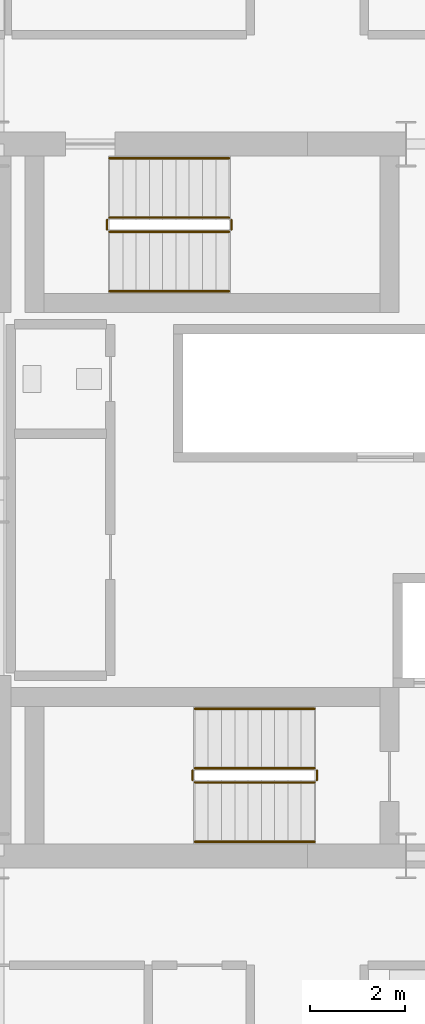
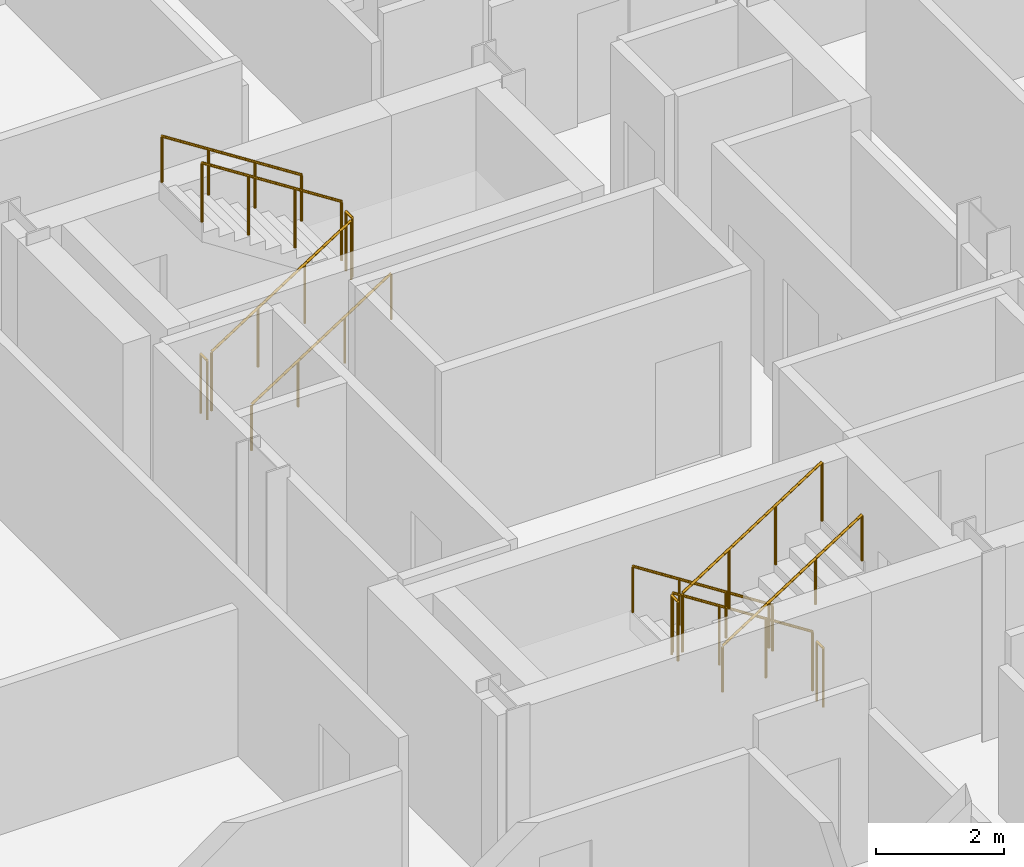
# One storey, part 19 of 20: 12 railings.
"""IFC4 building model written with IfcOpenShell, lengths in metres."""

import ifcopenshell
import ifcopenshell.guid

model = None  # the IFC model being written
_history = None  # IfcOwnerHistory: only IFC2X3 demands one
_inside = {}  # id of a spatial element -> (the spatial element, [elements in it])
_under = {}  # id of a project, library or spatial element -> (it, [spatial elements below it])
_declared = {}  # id of a project -> (the project, [libraries it declares])
_typed = {}  # id of a type object -> (the type object, [elements of that type])
_made_of = {}  # id of a material, layer set ... -> (it, [elements and type objects made of it])


def new_model(schema):
    """Start an empty IFC model of exactly this schema.

    Asked for "IFC4X3", IfcOpenShell would pick the latest addendum, in which some entities
    have other attributes; the version numbers below select the first issue.
    IFC2X3 requires an IfcOwnerHistory on every rooted entity: one is made here for all.
    """
    global model, _history
    if schema == "IFC4X3":
        model = ifcopenshell.file(schema_version=(4, 3, 0, 0))
    else:
        model = ifcopenshell.file(schema=schema)
    _inside.clear()
    _under.clear()
    _declared.clear()
    _typed.clear()
    _made_of.clear()
    _history = None
    if model.schema == "IFC2X3":
        org = make("IfcOrganization", Name="unknown")
        user = make(
            "IfcPersonAndOrganization",
            ThePerson=make("IfcPerson", FamilyName="unknown"),
            TheOrganization=org,
        )
        app = make(
            "IfcApplication",
            ApplicationDeveloper=org,
            Version="unknown",
            ApplicationFullName="unknown",
            ApplicationIdentifier="unknown",
        )
        _history = make(
            "IfcOwnerHistory",
            OwningUser=user,
            OwningApplication=app,
            ChangeAction="ADDED",
            CreationDate=0,
        )
    return model


def make(cls, **values):
    """One entity of the class cls with the attributes given. An attribute that is None is left unset."""
    return model.create_entity(
        cls, **{name: value for name, value in values.items() if value is not None}
    )


def rooted(cls, **values):
    """An entity with a GlobalId (a new one), such as an element, a storey or a relation."""
    return make(cls, GlobalId=ifcopenshell.guid.new(), OwnerHistory=_history, **values)


def si_unit(unit_type, name, prefix=None):
    """IfcSIUnit, for example si_unit("LENGTHUNIT", "METRE", prefix="MILLI")."""
    return make("IfcSIUnit", UnitType=unit_type, Prefix=prefix, Name=name)


def assignment(units):
    """IfcUnitAssignment: the units of a project."""
    return None if units is None else make("IfcUnitAssignment", Units=units)


def point(xyz):
    """IfcCartesianPoint."""
    return None if xyz is None else make("IfcCartesianPoint", Coordinates=xyz)


def direction(xyz):
    """IfcDirection."""
    return None if xyz is None else make("IfcDirection", DirectionRatios=xyz)


def frame(location, z_axis=None, x_axis=None):
    """IfcAxis2Placement3D, a coordinate frame: its origin and axes. An axis left out is left unset."""
    return make(
        "IfcAxis2Placement3D",
        Location=point(location),
        Axis=direction(z_axis),
        RefDirection=direction(x_axis),
    )


def frame_2d(location, x_axis=None):
    """IfcAxis2Placement2D, a coordinate frame in the plane: its origin and x axis."""
    return make(
        "IfcAxis2Placement2D", Location=point(location), RefDirection=direction(x_axis)
    )


def origin():
    """The frame at (0, 0, 0) with its axes left unset."""
    return frame((0.0, 0.0, 0.0))


def origin_2d():
    """The frame at (0, 0) in the plane with its x axis left unset."""
    return frame_2d((0.0, 0.0))


def place(relative_to, where):
    """IfcLocalPlacement: puts the frame where relative to a parent placement (None: the world)."""
    return make(
        "IfcLocalPlacement", PlacementRelTo=relative_to, RelativePlacement=where
    )


def context(
    kind, dimensions, precision=None, world=None, true_north=None, identifier=None
):
    """IfcGeometricRepresentationContext, for example the 3D "Model" context."""
    return make(
        "IfcGeometricRepresentationContext",
        ContextIdentifier=identifier,
        ContextType=kind,
        CoordinateSpaceDimension=dimensions,
        Precision=precision,
        WorldCoordinateSystem=world,
        TrueNorth=true_north,
    )


def subcontext(parent, identifier, kind, view, scale=None):
    """IfcGeometricRepresentationSubContext, for example "Body" below "Model"."""
    return make(
        "IfcGeometricRepresentationSubContext",
        ContextIdentifier=identifier,
        ContextType=kind,
        ParentContext=parent,
        TargetScale=scale,
        TargetView=view,
    )


def project(units=None, contexts=None):
    """IfcProject with its units and contexts."""
    return rooted(
        "IfcProject",
        Name="project",
        RepresentationContexts=contexts,
        UnitsInContext=assignment(units),
    )


def spatial(cls, under=None, at=None, **own):
    """A site, building, storey or space (cls), placed at a placement, below another one or the project."""
    s = rooted(cls, ObjectPlacement=at, **own)
    if under is not None:
        _under.setdefault(under.id(), (under, []))[1].append(s)
    return s


def profile(cls, at=None, kind="AREA", **sizes):
    """A parametric profile (cls). Its sizes go by their IFC names, for example OverallWidth=200.0."""
    return make(cls, ProfileType=kind, Position=at, **sizes)


def circle(**sizes):
    """IfcCircleProfileDef."""
    return profile("IfcCircleProfileDef", **sizes)


def extrude(swept, where, along, depth):
    """IfcExtrudedAreaSolid: the profile swept, set in the frame where, extruded along a direction by depth."""
    return make(
        "IfcExtrudedAreaSolid",
        SweptArea=swept,
        Position=where,
        ExtrudedDirection=direction(along),
        Depth=depth,
    )


def shape(context_of_items, identifier, shape_type, items):
    """IfcShapeRepresentation: the items that make up one representation, for example the "Body"."""
    return make(
        "IfcShapeRepresentation",
        ContextOfItems=context_of_items,
        RepresentationIdentifier=identifier,
        RepresentationType=shape_type,
        Items=items,
    )


def material(Name=None, Category=None):
    """IfcMaterial."""
    return make("IfcMaterial", Name=Name, Category=Category)


def made_of(thing, what):
    """Note that an element or type object is made of a material, layer set ...; save() writes the relation."""
    if what is not None:
        _made_of.setdefault(what.id(), (what, []))[1].append(thing)
    return thing


def type_object(cls, material=None, **own):
    """A type object (cls), such as IfcWallType, which elements share."""
    return made_of(rooted(cls, **own), material)


def element(
    cls,
    number,
    at=None,
    inside=None,
    cuts=None,
    type_object=None,
    material=None,
    context=None,
    identifier="Body",
    shape_type=None,
    held_by="IfcProductDefinitionShape",
    body=None,
    shapes=None,
    **own,
):
    """One element of the class cls, such as IfcWall. Its Tag is "e" and its number.

    at: its placement. inside: the storey or other place that contains it. cuts: it is an
    opening in that element (IfcRelVoidsElement). A single representation is given by context,
    identifier, shape_type and body (its items); several are given by shapes. held_by: the class
    of the entity that holds the representations. save() writes the other relations.
    """
    e = rooted(cls, Tag="e%d" % number, ObjectPlacement=at, **own)
    if body is not None:
        shapes = [shape(context, identifier, shape_type, body)]
    if shapes is not None:
        e.Representation = make(held_by, Representations=shapes)
    if inside is not None:
        _inside.setdefault(inside.id(), (inside, []))[1].append(e)
    if cuts is not None:
        rooted(
            "IfcRelVoidsElement", RelatingBuildingElement=cuts, RelatedOpeningElement=e
        )
    if type_object is not None:
        _typed.setdefault(type_object.id(), (type_object, []))[1].append(e)
    return made_of(e, material)


def aggregate(whole, parts):
    """IfcRelAggregates: a whole, such as a stair, and the parts it consists of."""
    return rooted("IfcRelAggregates", RelatingObject=whole, RelatedObjects=parts)


def save(model, path):
    """Write the relations noted so far, then the file.

    IfcRelAggregates (storeys below a building ...), IfcRelContainedInSpatialStructure (elements
    in a storey), IfcRelDefinesByType, IfcRelAssociatesMaterial and IfcRelDeclares: one each for
    every whole, place, type object, material and project.
    """
    for whole, parts in _under.values():
        aggregate(whole, parts)
    for where, things in _inside.values():
        rooted(
            "IfcRelContainedInSpatialStructure",
            RelatedElements=things,
            RelatingStructure=where,
        )
    for kind, things in _typed.values():
        rooted("IfcRelDefinesByType", RelatedObjects=things, RelatingType=kind)
    for what, things in _made_of.values():
        rooted("IfcRelAssociatesMaterial", RelatedObjects=things, RelatingMaterial=what)
    for by, libraries in _declared.values():
        rooted("IfcRelDeclares", RelatingContext=by, RelatedDefinitions=libraries)
    model.write(path)


model = new_model("IFC4")

# Units and contexts
model_context = context("Model", 3, precision=1e-05, world=origin(), true_north=direction((0.0, 1.0)))
body_context = subcontext(model_context, "Body", "Model", "MODEL_VIEW")
ifc_project = project(units=[si_unit("LENGTHUNIT", "METRE"), si_unit("AREAUNIT", "SQUARE_METRE"), si_unit("VOLUMEUNIT", "CUBIC_METRE"), si_unit("PLANEANGLEUNIT", "RADIAN"), si_unit("MASSUNIT", "GRAM", prefix="KILO")], contexts=[model_context])

# Site, building, storey
site_placement = place(None, origin())
site = spatial("IfcSite", under=ifc_project, at=site_placement, CompositionType="ELEMENT")
building_placement = place(site_placement, origin())
building = spatial("IfcBuilding", under=site, at=building_placement, Name="Barlavira Tower and Art Museum", CompositionType="ELEMENT")
storey_placement = place(building_placement, frame((0.0, 0.0, 147.60009765625)))
storey = spatial("IfcBuildingStorey", under=building, at=storey_placement, Name="L37", CompositionType="ELEMENT", Elevation=147.60009765625)

# Railings
ifc_material = material(Name="Brushed stainless steel", Category="steel")
railing_type_1 = type_object("IfcRailingType", Name="Interior Void and Landing Guard Railing 1150", PredefinedType="GUARDRAIL", material=ifc_material)
railing_1_placement = place(storey_placement, frame((0.14990234375, -5.64990234375, 0.179931640625)))
element("IfcRailing", 1, at=railing_1_placement, inside=storey, type_object=railing_type_1, Name="L37 ST-T1 stair guard 1", PredefinedType="GUARDRAIL", context=body_context, shape_type="SweptSolid", body=[
    extrude(circle(Radius=0.02392578125, at=origin_2d()), frame((0.0, 0.0, 1.1259765625), z_axis=(-0.841199657755, 0.0, 0.540724639528), x_axis=(0.0, -1.0, 0.0)), (0.0, 0.0, 1.0), 2.995849609375),
    extrude(circle(Radius=0.02099609375, at=origin_2d()), origin(), (0.0, 0.0, 1.0), 1.101806640625),
    extrude(circle(Radius=0.02099609375, at=origin_2d()), frame((-0.840087890625, 0.0, 0.5400390625)), (0.0, 0.0, 1.0), 1.101806640625),
    extrude(circle(Radius=0.02099609375, at=origin_2d()), frame((-1.679931640625, 0.0, 1.079833984375)), (0.0, 0.0, 1.0), 1.101806640625),
    extrude(circle(Radius=0.02099609375, at=origin_2d()), frame((-2.52001953125, 0.0, 1.619873046875)), (0.0, 0.0, 1.0), 1.101806640625),
])
railing_2_placement = place(storey_placement, frame((-2.419921875, -5.699951171875, 1.7998046875)))
element("IfcRailing", 2, at=railing_2_placement, inside=storey, type_object=railing_type_1, Name="L37 ST-T1 stair guard 2", PredefinedType="GUARDRAIL", context=body_context, shape_type="SweptSolid", body=[
    extrude(circle(Radius=0.02392578125, at=origin_2d()), frame((0.0, 0.0, 1.1259765625), z_axis=(0.0, -1.0, 0.0), x_axis=(1.0, 0.0, 0.0)), (0.0, 0.0, 1.0), 0.199951171875),
    extrude(circle(Radius=0.02099609375, at=origin_2d()), origin(), (0.0, 0.0, 1.0), 1.101806640625),
    extrude(circle(Radius=0.02099609375, at=origin_2d()), frame((0.0, -0.199951171875, 0.0)), (0.0, 0.0, 1.0), 1.101806640625),
])
railing_3_placement = place(storey_placement, frame((-2.3701171875, -5.949951171875, 1.97998046875)))
element("IfcRailing", 3, at=railing_3_placement, inside=storey, type_object=railing_type_1, Name="L37 ST-T1 stair guard 3", PredefinedType="GUARDRAIL", context=body_context, shape_type="SweptSolid", body=[
    extrude(circle(Radius=0.02392578125, at=origin_2d()), frame((0.0, 0.0, 1.1259765625), z_axis=(0.841199657755, 0.0, 0.540724639528), x_axis=(0.0, 1.0, 0.0)), (0.0, 0.0, 1.0), 2.995849609375),
    extrude(circle(Radius=0.02099609375, at=origin_2d()), origin(), (0.0, 0.0, 1.0), 1.101806640625),
    extrude(circle(Radius=0.02099609375, at=origin_2d()), frame((0.840087890625, 0.0, 0.5400390625)), (0.0, 0.0, 1.0), 1.101806640625),
    extrude(circle(Radius=0.02099609375, at=origin_2d()), frame((1.679931640625, 0.0, 1.079833984375)), (0.0, 0.0, 1.0), 1.101806640625),
    extrude(circle(Radius=0.02099609375, at=origin_2d()), frame((2.52001953125, 0.0, 1.619873046875)), (0.0, 0.0, 1.0), 1.101806640625),
])
railing_4_placement = place(storey_placement, frame((0.199951171875, -5.699951171875, 0.0)))
element("IfcRailing", 4, at=railing_4_placement, inside=storey, type_object=railing_type_1, Name="L37 ST-T1 stair guard 4", PredefinedType="GUARDRAIL", context=body_context, shape_type="SweptSolid", body=[
    extrude(circle(Radius=0.02392578125, at=origin_2d()), frame((0.0, 0.0, 1.1259765625), z_axis=(0.0, -1.0, 0.0), x_axis=(1.0, 0.0, 0.0)), (0.0, 0.0, 1.0), 0.199951171875),
    extrude(circle(Radius=0.02099609375, at=origin_2d()), origin(), (0.0, 0.0, 1.0), 1.101806640625),
    extrude(circle(Radius=0.02099609375, at=origin_2d()), frame((0.0, -0.199951171875, 0.0)), (0.0, 0.0, 1.0), 1.101806640625),
])
railing_5_placement = place(storey_placement, frame((-4.169921875, 5.64990234375, 0.179931640625)))
element("IfcRailing", 5, at=railing_5_placement, inside=storey, type_object=railing_type_1, Name="L37 ST-T2 stair guard 1", PredefinedType="GUARDRAIL", context=body_context, shape_type="SweptSolid", body=[
    extrude(circle(Radius=0.02392578125, at=origin_2d()), frame((0.0, 0.0, 1.1259765625), z_axis=(0.841199657755, 0.0, 0.540724639528), x_axis=(0.0, 1.0, 0.0)), (0.0, 0.0, 1.0), 2.995849609375),
    extrude(circle(Radius=0.02099609375, at=origin_2d()), origin(), (0.0, 0.0, 1.0), 1.101806640625),
    extrude(circle(Radius=0.02099609375, at=origin_2d()), frame((0.840087890625, 0.0, 0.5400390625)), (0.0, 0.0, 1.0), 1.101806640625),
    extrude(circle(Radius=0.02099609375, at=origin_2d()), frame((1.679931640625, 0.0, 1.079833984375)), (0.0, 0.0, 1.0), 1.101806640625),
    extrude(circle(Radius=0.02099609375, at=origin_2d()), frame((2.52001953125, 0.0, 1.619873046875)), (0.0, 0.0, 1.0), 1.101806640625),
])
railing_6_placement = place(storey_placement, frame((-1.60009765625, 5.699951171875, 1.7998046875)))
element("IfcRailing", 6, at=railing_6_placement, inside=storey, type_object=railing_type_1, Name="L37 ST-T2 stair guard 2", PredefinedType="GUARDRAIL", context=body_context, shape_type="SweptSolid", body=[
    extrude(circle(Radius=0.02392578125, at=origin_2d()), frame((0.0, 0.0, 1.1259765625), z_axis=(0.0, 1.0, 0.0), x_axis=(-1.0, 0.0, 0.0)), (0.0, 0.0, 1.0), 0.199951171875),
    extrude(circle(Radius=0.02099609375, at=origin_2d()), origin(), (0.0, 0.0, 1.0), 1.101806640625),
    extrude(circle(Radius=0.02099609375, at=origin_2d()), frame((0.0, 0.199951171875, 0.0)), (0.0, 0.0, 1.0), 1.101806640625),
])
railing_7_placement = place(storey_placement, frame((-1.64990234375, 5.949951171875, 1.97998046875)))
element("IfcRailing", 7, at=railing_7_placement, inside=storey, type_object=railing_type_1, Name="L37 ST-T2 stair guard 3", PredefinedType="GUARDRAIL", context=body_context, shape_type="SweptSolid", body=[
    extrude(circle(Radius=0.02392578125, at=origin_2d()), frame((0.0, 0.0, 1.1259765625), z_axis=(-0.841199657755, 0.0, 0.540724639528), x_axis=(0.0, -1.0, 0.0)), (0.0, 0.0, 1.0), 2.995849609375),
    extrude(circle(Radius=0.02099609375, at=origin_2d()), origin(), (0.0, 0.0, 1.0), 1.101806640625),
    extrude(circle(Radius=0.02099609375, at=origin_2d()), frame((-0.840087890625, 0.0, 0.5400390625)), (0.0, 0.0, 1.0), 1.101806640625),
    extrude(circle(Radius=0.02099609375, at=origin_2d()), frame((-1.679931640625, 0.0, 1.079833984375)), (0.0, 0.0, 1.0), 1.101806640625),
    extrude(circle(Radius=0.02099609375, at=origin_2d()), frame((-2.52001953125, 0.0, 1.619873046875)), (0.0, 0.0, 1.0), 1.101806640625),
])
railing_8_placement = place(storey_placement, frame((-4.219970703125, 5.699951171875, 0.0)))
element("IfcRailing", 8, at=railing_8_placement, inside=storey, type_object=railing_type_1, Name="L37 ST-T2 stair guard 4", PredefinedType="GUARDRAIL", context=body_context, shape_type="SweptSolid", body=[
    extrude(circle(Radius=0.02392578125, at=origin_2d()), frame((0.0, 0.0, 1.1259765625), z_axis=(0.0, 1.0, 0.0), x_axis=(-1.0, 0.0, 0.0)), (0.0, 0.0, 1.0), 0.199951171875),
    extrude(circle(Radius=0.02099609375, at=origin_2d()), origin(), (0.0, 0.0, 1.0), 1.101806640625),
    extrude(circle(Radius=0.02099609375, at=origin_2d()), frame((0.0, 0.199951171875, 0.0)), (0.0, 0.0, 1.0), 1.101806640625),
])
railing_type_2 = type_object("IfcRailingType", Name="Stair Pitch Tubular Steel Handrail 920", PredefinedType="HANDRAIL", material=ifc_material)
railing_9_placement = place(storey_placement, frame((0.14990234375, -4.39990234375, 0.179931640625)))
element("IfcRailing", 9, at=railing_9_placement, inside=storey, type_object=railing_type_2, Name="L37 ST-T1 stair handrail 1", PredefinedType="HANDRAIL", context=body_context, shape_type="SweptSolid", body=[
    extrude(circle(Radius=0.02392578125, at=origin_2d()), frame((0.0, 0.0, 0.8759765625), z_axis=(-0.841199657755, 0.0, 0.540724639528), x_axis=(0.0, -1.0, 0.0)), (0.0, 0.0, 1.0), 2.995849609375),
    extrude(circle(Radius=0.02099609375, at=origin_2d()), origin(), (0.0, 0.0, 1.0), 0.851806640625),
    extrude(circle(Radius=0.02099609375, at=origin_2d()), frame((-0.840087890625, 0.0, 0.5400390625)), (0.0, 0.0, 1.0), 0.851806640625),
    extrude(circle(Radius=0.02099609375, at=origin_2d()), frame((-1.679931640625, 0.0, 1.079833984375)), (0.0, 0.0, 1.0), 0.851806640625),
    extrude(circle(Radius=0.02099609375, at=origin_2d()), frame((-2.52001953125, 0.0, 1.619873046875)), (0.0, 0.0, 1.0), 0.851806640625),
])
for number, where, name in (
    (10, (-2.3701171875, -7.199951171875, 1.97998046875), "L37 ST-T1 stair handrail 2"),
    (11, (-4.169921875, 4.39990234375, 0.179931640625), "L37 ST-T2 stair handrail 1"),
):
    element("IfcRailing", number, at=place(storey_placement, frame(where)), inside=storey, type_object=railing_type_2, Name=name, PredefinedType="HANDRAIL", context=body_context, shape_type="SweptSolid", body=[
        extrude(circle(Radius=0.02392578125, at=origin_2d()), frame((0.0, 0.0, 0.8759765625), z_axis=(0.841199657755, 0.0, 0.540724639528), x_axis=(0.0, 1.0, 0.0)), (0.0, 0.0, 1.0), 2.995849609375),
        extrude(circle(Radius=0.02099609375, at=origin_2d()), origin(), (0.0, 0.0, 1.0), 0.851806640625),
        extrude(circle(Radius=0.02099609375, at=origin_2d()), frame((0.840087890625, 0.0, 0.5400390625)), (0.0, 0.0, 1.0), 0.851806640625),
        extrude(circle(Radius=0.02099609375, at=origin_2d()), frame((1.679931640625, 0.0, 1.079833984375)), (0.0, 0.0, 1.0), 0.851806640625),
        extrude(circle(Radius=0.02099609375, at=origin_2d()), frame((2.52001953125, 0.0, 1.619873046875)), (0.0, 0.0, 1.0), 0.851806640625),
    ])
railing_10_placement = place(storey_placement, frame((-1.64990234375, 7.199951171875, 1.97998046875)))
element("IfcRailing", 12, at=railing_10_placement, inside=storey, type_object=railing_type_2, Name="L37 ST-T2 stair handrail 2", PredefinedType="HANDRAIL", context=body_context, shape_type="SweptSolid", body=[
    extrude(circle(Radius=0.02392578125, at=origin_2d()), frame((0.0, 0.0, 0.8759765625), z_axis=(-0.841199657755, 0.0, 0.540724639528), x_axis=(0.0, -1.0, 0.0)), (0.0, 0.0, 1.0), 2.995849609375),
    extrude(circle(Radius=0.02099609375, at=origin_2d()), origin(), (0.0, 0.0, 1.0), 0.851806640625),
    extrude(circle(Radius=0.02099609375, at=origin_2d()), frame((-0.840087890625, 0.0, 0.5400390625)), (0.0, 0.0, 1.0), 0.851806640625),
    extrude(circle(Radius=0.02099609375, at=origin_2d()), frame((-1.679931640625, 0.0, 1.079833984375)), (0.0, 0.0, 1.0), 0.851806640625),
    extrude(circle(Radius=0.02099609375, at=origin_2d()), frame((-2.52001953125, 0.0, 1.619873046875)), (0.0, 0.0, 1.0), 0.851806640625),
])

save(model, "model.ifc")
